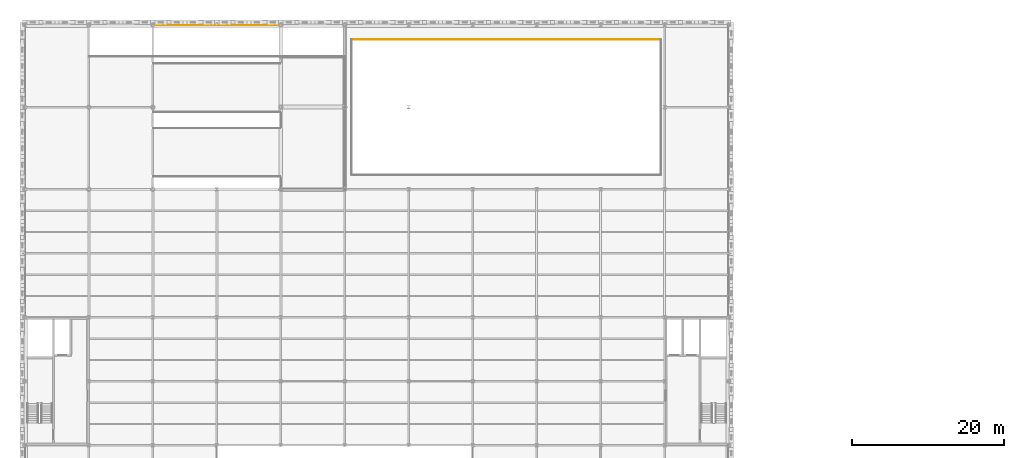
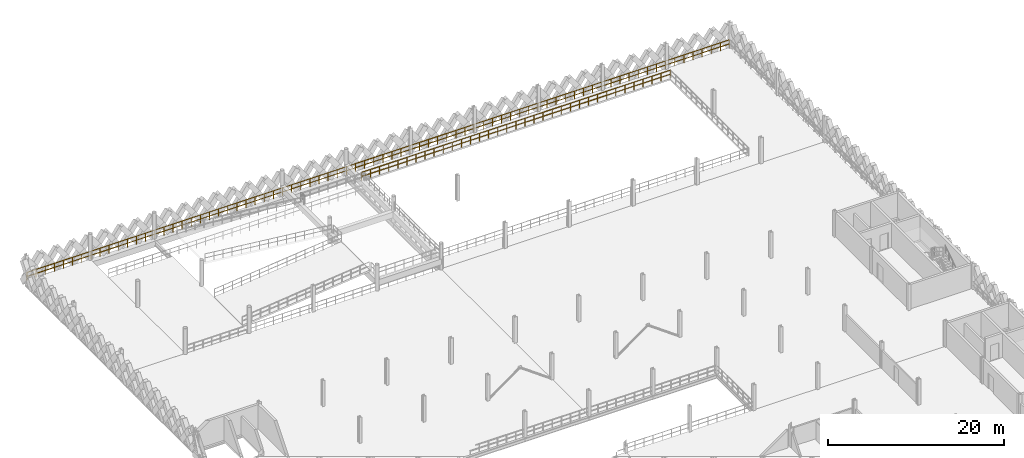
# One storey, part 76 of 79: 2 railings.
"""IFC4 building model written with IfcOpenShell, lengths in metres."""

import ifcopenshell
import ifcopenshell.guid

model = None  # the IFC model being written
_history = None  # IfcOwnerHistory: only IFC2X3 demands one
_inside = {}  # id of a spatial element -> (the spatial element, [elements in it])
_under = {}  # id of a project, library or spatial element -> (it, [spatial elements below it])
_declared = {}  # id of a project -> (the project, [libraries it declares])
_typed = {}  # id of a type object -> (the type object, [elements of that type])
_made_of = {}  # id of a material, layer set ... -> (it, [elements and type objects made of it])


def new_model(schema):
    """Start an empty IFC model of exactly this schema.

    Asked for "IFC4X3", IfcOpenShell would pick the latest addendum, in which some entities
    have other attributes; the version numbers below select the first issue.
    IFC2X3 requires an IfcOwnerHistory on every rooted entity: one is made here for all.
    """
    global model, _history
    if schema == "IFC4X3":
        model = ifcopenshell.file(schema_version=(4, 3, 0, 0))
    else:
        model = ifcopenshell.file(schema=schema)
    _inside.clear()
    _under.clear()
    _declared.clear()
    _typed.clear()
    _made_of.clear()
    _history = None
    if model.schema == "IFC2X3":
        org = make("IfcOrganization", Name="unknown")
        user = make(
            "IfcPersonAndOrganization",
            ThePerson=make("IfcPerson", FamilyName="unknown"),
            TheOrganization=org,
        )
        app = make(
            "IfcApplication",
            ApplicationDeveloper=org,
            Version="unknown",
            ApplicationFullName="unknown",
            ApplicationIdentifier="unknown",
        )
        _history = make(
            "IfcOwnerHistory",
            OwningUser=user,
            OwningApplication=app,
            ChangeAction="ADDED",
            CreationDate=0,
        )
    return model


def make(cls, **values):
    """One entity of the class cls with the attributes given. An attribute that is None is left unset."""
    return model.create_entity(
        cls, **{name: value for name, value in values.items() if value is not None}
    )


def rooted(cls, **values):
    """An entity with a GlobalId (a new one), such as an element, a storey or a relation."""
    return make(cls, GlobalId=ifcopenshell.guid.new(), OwnerHistory=_history, **values)


def si_unit(unit_type, name, prefix=None):
    """IfcSIUnit, for example si_unit("LENGTHUNIT", "METRE", prefix="MILLI")."""
    return make("IfcSIUnit", UnitType=unit_type, Prefix=prefix, Name=name)


def assignment(units):
    """IfcUnitAssignment: the units of a project."""
    return None if units is None else make("IfcUnitAssignment", Units=units)


def point(xyz):
    """IfcCartesianPoint."""
    return None if xyz is None else make("IfcCartesianPoint", Coordinates=xyz)


def direction(xyz):
    """IfcDirection."""
    return None if xyz is None else make("IfcDirection", DirectionRatios=xyz)


def frame(location, z_axis=None, x_axis=None):
    """IfcAxis2Placement3D, a coordinate frame: its origin and axes. An axis left out is left unset."""
    return make(
        "IfcAxis2Placement3D",
        Location=point(location),
        Axis=direction(z_axis),
        RefDirection=direction(x_axis),
    )


def frame_2d(location, x_axis=None):
    """IfcAxis2Placement2D, a coordinate frame in the plane: its origin and x axis."""
    return make(
        "IfcAxis2Placement2D", Location=point(location), RefDirection=direction(x_axis)
    )


def origin():
    """The frame at (0, 0, 0) with its axes left unset."""
    return frame((0.0, 0.0, 0.0))


def origin_2d():
    """The frame at (0, 0) in the plane with its x axis left unset."""
    return frame_2d((0.0, 0.0))


def place(relative_to, where):
    """IfcLocalPlacement: puts the frame where relative to a parent placement (None: the world)."""
    return make(
        "IfcLocalPlacement", PlacementRelTo=relative_to, RelativePlacement=where
    )


def context(
    kind, dimensions, precision=None, world=None, true_north=None, identifier=None
):
    """IfcGeometricRepresentationContext, for example the 3D "Model" context."""
    return make(
        "IfcGeometricRepresentationContext",
        ContextIdentifier=identifier,
        ContextType=kind,
        CoordinateSpaceDimension=dimensions,
        Precision=precision,
        WorldCoordinateSystem=world,
        TrueNorth=true_north,
    )


def subcontext(parent, identifier, kind, view, scale=None):
    """IfcGeometricRepresentationSubContext, for example "Body" below "Model"."""
    return make(
        "IfcGeometricRepresentationSubContext",
        ContextIdentifier=identifier,
        ContextType=kind,
        ParentContext=parent,
        TargetScale=scale,
        TargetView=view,
    )


def project(units=None, contexts=None):
    """IfcProject with its units and contexts."""
    return rooted(
        "IfcProject",
        Name="project",
        RepresentationContexts=contexts,
        UnitsInContext=assignment(units),
    )


def spatial(cls, under=None, at=None, **own):
    """A site, building, storey or space (cls), placed at a placement, below another one or the project."""
    s = rooted(cls, ObjectPlacement=at, **own)
    if under is not None:
        _under.setdefault(under.id(), (under, []))[1].append(s)
    return s


def profile(cls, at=None, kind="AREA", **sizes):
    """A parametric profile (cls). Its sizes go by their IFC names, for example OverallWidth=200.0."""
    return make(cls, ProfileType=kind, Position=at, **sizes)


def circle(**sizes):
    """IfcCircleProfileDef."""
    return profile("IfcCircleProfileDef", **sizes)


def extrude(swept, where, along, depth):
    """IfcExtrudedAreaSolid: the profile swept, set in the frame where, extruded along a direction by depth."""
    return make(
        "IfcExtrudedAreaSolid",
        SweptArea=swept,
        Position=where,
        ExtrudedDirection=direction(along),
        Depth=depth,
    )


def shape(context_of_items, identifier, shape_type, items):
    """IfcShapeRepresentation: the items that make up one representation, for example the "Body"."""
    return make(
        "IfcShapeRepresentation",
        ContextOfItems=context_of_items,
        RepresentationIdentifier=identifier,
        RepresentationType=shape_type,
        Items=items,
    )


def material(Name=None, Category=None):
    """IfcMaterial."""
    return make("IfcMaterial", Name=Name, Category=Category)


def made_of(thing, what):
    """Note that an element or type object is made of a material, layer set ...; save() writes the relation."""
    if what is not None:
        _made_of.setdefault(what.id(), (what, []))[1].append(thing)
    return thing


def type_object(cls, material=None, **own):
    """A type object (cls), such as IfcWallType, which elements share."""
    return made_of(rooted(cls, **own), material)


def element(
    cls,
    number,
    at=None,
    inside=None,
    cuts=None,
    type_object=None,
    material=None,
    context=None,
    identifier="Body",
    shape_type=None,
    held_by="IfcProductDefinitionShape",
    body=None,
    shapes=None,
    **own,
):
    """One element of the class cls, such as IfcWall. Its Tag is "e" and its number.

    at: its placement. inside: the storey or other place that contains it. cuts: it is an
    opening in that element (IfcRelVoidsElement). A single representation is given by context,
    identifier, shape_type and body (its items); several are given by shapes. held_by: the class
    of the entity that holds the representations. save() writes the other relations.
    """
    e = rooted(cls, Tag="e%d" % number, ObjectPlacement=at, **own)
    if body is not None:
        shapes = [shape(context, identifier, shape_type, body)]
    if shapes is not None:
        e.Representation = make(held_by, Representations=shapes)
    if inside is not None:
        _inside.setdefault(inside.id(), (inside, []))[1].append(e)
    if cuts is not None:
        rooted(
            "IfcRelVoidsElement", RelatingBuildingElement=cuts, RelatedOpeningElement=e
        )
    if type_object is not None:
        _typed.setdefault(type_object.id(), (type_object, []))[1].append(e)
    return made_of(e, material)


def aggregate(whole, parts):
    """IfcRelAggregates: a whole, such as a stair, and the parts it consists of."""
    return rooted("IfcRelAggregates", RelatingObject=whole, RelatedObjects=parts)


def save(model, path):
    """Write the relations noted so far, then the file.

    IfcRelAggregates (storeys below a building ...), IfcRelContainedInSpatialStructure (elements
    in a storey), IfcRelDefinesByType, IfcRelAssociatesMaterial and IfcRelDeclares: one each for
    every whole, place, type object, material and project.
    """
    for whole, parts in _under.values():
        aggregate(whole, parts)
    for where, things in _inside.values():
        rooted(
            "IfcRelContainedInSpatialStructure",
            RelatedElements=things,
            RelatingStructure=where,
        )
    for kind, things in _typed.values():
        rooted("IfcRelDefinesByType", RelatedObjects=things, RelatingType=kind)
    for what, things in _made_of.values():
        rooted("IfcRelAssociatesMaterial", RelatedObjects=things, RelatingMaterial=what)
    for by, libraries in _declared.values():
        rooted("IfcRelDeclares", RelatingContext=by, RelatedDefinitions=libraries)
    model.write(path)


model = new_model("IFC4")

# Units and contexts
model_context = context("Model", 3, precision=1e-05, world=origin(), true_north=direction((0.0, 1.0)))
body_context = subcontext(model_context, "Body", "Model", "MODEL_VIEW")
ifc_project = project(units=[si_unit("LENGTHUNIT", "METRE"), si_unit("AREAUNIT", "SQUARE_METRE"), si_unit("VOLUMEUNIT", "CUBIC_METRE"), si_unit("PLANEANGLEUNIT", "RADIAN"), si_unit("MASSUNIT", "GRAM", prefix="KILO"), si_unit("THERMODYNAMICTEMPERATUREUNIT", "KELVIN"), si_unit("POWERUNIT", "WATT")], contexts=[model_context])

# Site, building, storey
site_placement = place(None, origin())
site = spatial("IfcSite", under=ifc_project, at=site_placement, CompositionType="ELEMENT")
building_placement = place(site_placement, origin())
building = spatial("IfcBuilding", under=site, at=building_placement, Name="Tembeka Court Mobility Hub", CompositionType="ELEMENT")
storey_placement = place(building_placement, frame((0.0, 0.0, 9.0)))
storey = spatial("IfcBuildingStorey", under=building, at=storey_placement, Name="L02", CompositionType="ELEMENT", Elevation=9.0)

# Railings
ifc_material = material(Name="Painted galvanised steel balustrade", Category="steel")
railing_type_1 = type_object("IfcRailingType", Name="RL-GR01", PredefinedType="GUARDRAIL", material=ifc_material)
railing_1_placement = place(storey_placement, frame((83.469970703125, 116.89990234375, 0.0)))
element("IfcRailing", 1, at=railing_1_placement, inside=storey, type_object=railing_type_1, Name="Perimeter guard GR01-0089", PredefinedType="GUARDRAIL", context=body_context, shape_type="SweptSolid", body=[
    extrude(circle(Radius=0.02392578125, at=origin_2d()), frame((0.0, 0.0, 1.09619140625), z_axis=(-1.0, 0.0, 0.0), x_axis=(0.0, -1.0, 0.0)), (0.0, 0.0, 1.0), 40.5400390625),
    extrude(circle(Radius=0.02392578125, at=origin_2d()), frame((0.0, 0.0, 0.5361328125), z_axis=(-1.0, 0.0, 0.0), x_axis=(0.0, -1.0, 0.0)), (0.0, 0.0, 1.0), 40.5400390625),
    extrude(circle(Radius=0.02099609375, at=origin_2d()), origin(), (0.0, 0.0, 1.0), 1.072021484375),
    extrude(circle(Radius=0.02099609375, at=origin_2d()), frame((-1.1923828125, 0.0, 0.0)), (0.0, 0.0, 1.0), 1.072021484375),
    extrude(circle(Radius=0.02099609375, at=origin_2d()), frame((-2.384765625, 0.0, 0.0)), (0.0, 0.0, 1.0), 1.072021484375),
    extrude(circle(Radius=0.02099609375, at=origin_2d()), frame((-3.5771484375, 0.0, 0.0)), (0.0, 0.0, 1.0), 1.072021484375),
    extrude(circle(Radius=0.02099609375, at=origin_2d()), frame((-4.76953125, 0.0, 0.0)), (0.0, 0.0, 1.0), 1.072021484375),
    extrude(circle(Radius=0.02099609375, at=origin_2d()), frame((-5.961669921875, 0.0, 0.0)), (0.0, 0.0, 1.0), 1.072021484375),
    extrude(circle(Radius=0.02099609375, at=origin_2d()), frame((-7.154052734375, 0.0, 0.0)), (0.0, 0.0, 1.0), 1.072021484375),
    extrude(circle(Radius=0.02099609375, at=origin_2d()), frame((-8.346435546875, 0.0, 0.0)), (0.0, 0.0, 1.0), 1.072021484375),
    extrude(circle(Radius=0.02099609375, at=origin_2d()), frame((-9.538818359375, 0.0, 0.0)), (0.0, 0.0, 1.0), 1.072021484375),
    extrude(circle(Radius=0.02099609375, at=origin_2d()), frame((-10.731201171875, 0.0, 0.0)), (0.0, 0.0, 1.0), 1.072021484375),
    extrude(circle(Radius=0.02099609375, at=origin_2d()), frame((-11.923583984375, 0.0, 0.0)), (0.0, 0.0, 1.0), 1.072021484375),
    extrude(circle(Radius=0.02099609375, at=origin_2d()), frame((-13.115966796875, 0.0, 0.0)), (0.0, 0.0, 1.0), 1.072021484375),
    extrude(circle(Radius=0.02099609375, at=origin_2d()), frame((-14.308349609375, 0.0, 0.0)), (0.0, 0.0, 1.0), 1.072021484375),
    extrude(circle(Radius=0.02099609375, at=origin_2d()), frame((-15.50048828125, 0.0, 0.0)), (0.0, 0.0, 1.0), 1.072021484375),
    extrude(circle(Radius=0.02099609375, at=origin_2d()), frame((-16.69287109375, 0.0, 0.0)), (0.0, 0.0, 1.0), 1.072021484375),
    extrude(circle(Radius=0.02099609375, at=origin_2d()), frame((-17.88525390625, 0.0, 0.0)), (0.0, 0.0, 1.0), 1.072021484375),
    extrude(circle(Radius=0.02099609375, at=origin_2d()), frame((-19.07763671875, 0.0, 0.0)), (0.0, 0.0, 1.0), 1.072021484375),
    extrude(circle(Radius=0.02099609375, at=origin_2d()), frame((-20.27001953125, 0.0, 0.0)), (0.0, 0.0, 1.0), 1.072021484375),
    extrude(circle(Radius=0.02099609375, at=origin_2d()), frame((-21.46240234375, 0.0, 0.0)), (0.0, 0.0, 1.0), 1.072021484375),
    extrude(circle(Radius=0.02099609375, at=origin_2d()), frame((-22.65478515625, 0.0, 0.0)), (0.0, 0.0, 1.0), 1.072021484375),
    extrude(circle(Radius=0.02099609375, at=origin_2d()), frame((-23.84716796875, 0.0, 0.0)), (0.0, 0.0, 1.0), 1.072021484375),
    extrude(circle(Radius=0.02099609375, at=origin_2d()), frame((-25.03955078125, 0.0, 0.0)), (0.0, 0.0, 1.0), 1.072021484375),
    extrude(circle(Radius=0.02099609375, at=origin_2d()), frame((-26.231689453125, 0.0, 0.0)), (0.0, 0.0, 1.0), 1.072021484375),
    extrude(circle(Radius=0.02099609375, at=origin_2d()), frame((-27.424072265625, 0.0, 0.0)), (0.0, 0.0, 1.0), 1.072021484375),
    extrude(circle(Radius=0.02099609375, at=origin_2d()), frame((-28.616455078125, 0.0, 0.0)), (0.0, 0.0, 1.0), 1.072021484375),
    extrude(circle(Radius=0.02099609375, at=origin_2d()), frame((-29.808837890625, 0.0, 0.0)), (0.0, 0.0, 1.0), 1.072021484375),
    extrude(circle(Radius=0.02099609375, at=origin_2d()), frame((-31.001220703125, 0.0, 0.0)), (0.0, 0.0, 1.0), 1.072021484375),
    extrude(circle(Radius=0.02099609375, at=origin_2d()), frame((-32.193603515625, 0.0, 0.0)), (0.0, 0.0, 1.0), 1.072021484375),
    extrude(circle(Radius=0.02099609375, at=origin_2d()), frame((-33.385986328125, 0.0, 0.0)), (0.0, 0.0, 1.0), 1.072021484375),
    extrude(circle(Radius=0.02099609375, at=origin_2d()), frame((-34.578369140625, 0.0, 0.0)), (0.0, 0.0, 1.0), 1.072021484375),
    extrude(circle(Radius=0.02099609375, at=origin_2d()), frame((-35.7705078125, 0.0, 0.0)), (0.0, 0.0, 1.0), 1.072021484375),
    extrude(circle(Radius=0.02099609375, at=origin_2d()), frame((-36.962890625, 0.0, 0.0)), (0.0, 0.0, 1.0), 1.072021484375),
    extrude(circle(Radius=0.02099609375, at=origin_2d()), frame((-38.1552734375, 0.0, 0.0)), (0.0, 0.0, 1.0), 1.072021484375),
    extrude(circle(Radius=0.02099609375, at=origin_2d()), frame((-39.34765625, 0.0, 0.0)), (0.0, 0.0, 1.0), 1.072021484375),
    extrude(circle(Radius=0.02099609375, at=origin_2d()), frame((-40.5400390625, 0.0, 0.0)), (0.0, 0.0, 1.0), 1.072021484375),
])
railing_type_2 = type_object("IfcRailingType", Name="RL-GR02", PredefinedType="GUARDRAIL", material=ifc_material)
railing_2_placement = place(storey_placement, frame((0.080078125, 118.75, 0.0)))
element("IfcRailing", 2, at=railing_2_placement, inside=storey, type_object=railing_type_2, Name="Perimeter guard GR02-0092", PredefinedType="GUARDRAIL", context=body_context, shape_type="SweptSolid", body=[
    extrude(circle(Radius=0.02392578125, at=origin_2d()), frame((0.0, 0.0, 1.09619140625), z_axis=(1.0, 0.0, 0.0), x_axis=(0.0, 1.0, 0.0)), (0.0, 0.0, 1.0), 92.239990234375),
    extrude(circle(Radius=0.02392578125, at=origin_2d()), frame((0.0, 0.0, 0.5361328125), z_axis=(1.0, 0.0, 0.0), x_axis=(0.0, 1.0, 0.0)), (0.0, 0.0, 1.0), 92.239990234375),
    extrude(circle(Radius=0.02099609375, at=origin_2d()), origin(), (0.0, 0.0, 1.0), 1.072021484375),
    extrude(circle(Radius=0.02099609375, at=origin_2d()), frame((1.197998046875, 0.0, 0.0)), (0.0, 0.0, 1.0), 1.072021484375),
    extrude(circle(Radius=0.02099609375, at=origin_2d()), frame((2.395751953125, 0.0, 0.0)), (0.0, 0.0, 1.0), 1.072021484375),
    extrude(circle(Radius=0.02099609375, at=origin_2d()), frame((3.59375, 0.0, 0.0)), (0.0, 0.0, 1.0), 1.072021484375),
    extrude(circle(Radius=0.02099609375, at=origin_2d()), frame((4.791748046875, 0.0, 0.0)), (0.0, 0.0, 1.0), 1.072021484375),
    extrude(circle(Radius=0.02099609375, at=origin_2d()), frame((5.989501953125, 0.0, 0.0)), (0.0, 0.0, 1.0), 1.072021484375),
    extrude(circle(Radius=0.02099609375, at=origin_2d()), frame((7.1875, 0.0, 0.0)), (0.0, 0.0, 1.0), 1.072021484375),
    extrude(circle(Radius=0.02099609375, at=origin_2d()), frame((8.385498046875, 0.0, 0.0)), (0.0, 0.0, 1.0), 1.072021484375),
    extrude(circle(Radius=0.02099609375, at=origin_2d()), frame((9.58349609375, 0.0, 0.0)), (0.0, 0.0, 1.0), 1.072021484375),
    extrude(circle(Radius=0.02099609375, at=origin_2d()), frame((10.78125, 0.0, 0.0)), (0.0, 0.0, 1.0), 1.072021484375),
    extrude(circle(Radius=0.02099609375, at=origin_2d()), frame((11.979248046875, 0.0, 0.0)), (0.0, 0.0, 1.0), 1.072021484375),
    extrude(circle(Radius=0.02099609375, at=origin_2d()), frame((13.17724609375, 0.0, 0.0)), (0.0, 0.0, 1.0), 1.072021484375),
    extrude(circle(Radius=0.02099609375, at=origin_2d()), frame((14.375, 0.0, 0.0)), (0.0, 0.0, 1.0), 1.072021484375),
    extrude(circle(Radius=0.02099609375, at=origin_2d()), frame((15.572998046875, 0.0, 0.0)), (0.0, 0.0, 1.0), 1.072021484375),
    extrude(circle(Radius=0.02099609375, at=origin_2d()), frame((16.77099609375, 0.0, 0.0)), (0.0, 0.0, 1.0), 1.072021484375),
    extrude(circle(Radius=0.02099609375, at=origin_2d()), frame((17.96875, 0.0, 0.0)), (0.0, 0.0, 1.0), 1.072021484375),
    extrude(circle(Radius=0.02099609375, at=origin_2d()), frame((19.166748046875, 0.0, 0.0)), (0.0, 0.0, 1.0), 1.072021484375),
    extrude(circle(Radius=0.02099609375, at=origin_2d()), frame((20.36474609375, 0.0, 0.0)), (0.0, 0.0, 1.0), 1.072021484375),
    extrude(circle(Radius=0.02099609375, at=origin_2d()), frame((21.5625, 0.0, 0.0)), (0.0, 0.0, 1.0), 1.072021484375),
    extrude(circle(Radius=0.02099609375, at=origin_2d()), frame((22.760498046875, 0.0, 0.0)), (0.0, 0.0, 1.0), 1.072021484375),
    extrude(circle(Radius=0.02099609375, at=origin_2d()), frame((23.95849609375, 0.0, 0.0)), (0.0, 0.0, 1.0), 1.072021484375),
    extrude(circle(Radius=0.02099609375, at=origin_2d()), frame((25.15625, 0.0, 0.0)), (0.0, 0.0, 1.0), 1.072021484375),
    extrude(circle(Radius=0.02099609375, at=origin_2d()), frame((26.354248046875, 0.0, 0.0)), (0.0, 0.0, 1.0), 1.072021484375),
    extrude(circle(Radius=0.02099609375, at=origin_2d()), frame((27.55224609375, 0.0, 0.0)), (0.0, 0.0, 1.0), 1.072021484375),
    extrude(circle(Radius=0.02099609375, at=origin_2d()), frame((28.750244140625, 0.0, 0.0)), (0.0, 0.0, 1.0), 1.072021484375),
    extrude(circle(Radius=0.02099609375, at=origin_2d()), frame((29.947998046875, 0.0, 0.0)), (0.0, 0.0, 1.0), 1.072021484375),
    extrude(circle(Radius=0.02099609375, at=origin_2d()), frame((31.14599609375, 0.0, 0.0)), (0.0, 0.0, 1.0), 1.072021484375),
    extrude(circle(Radius=0.02099609375, at=origin_2d()), frame((32.343994140625, 0.0, 0.0)), (0.0, 0.0, 1.0), 1.072021484375),
    extrude(circle(Radius=0.02099609375, at=origin_2d()), frame((33.541748046875, 0.0, 0.0)), (0.0, 0.0, 1.0), 1.072021484375),
    extrude(circle(Radius=0.02099609375, at=origin_2d()), frame((34.73974609375, 0.0, 0.0)), (0.0, 0.0, 1.0), 1.072021484375),
    extrude(circle(Radius=0.02099609375, at=origin_2d()), frame((35.937744140625, 0.0, 0.0)), (0.0, 0.0, 1.0), 1.072021484375),
    extrude(circle(Radius=0.02099609375, at=origin_2d()), frame((37.135498046875, 0.0, 0.0)), (0.0, 0.0, 1.0), 1.072021484375),
    extrude(circle(Radius=0.02099609375, at=origin_2d()), frame((38.33349609375, 0.0, 0.0)), (0.0, 0.0, 1.0), 1.072021484375),
    extrude(circle(Radius=0.02099609375, at=origin_2d()), frame((39.531494140625, 0.0, 0.0)), (0.0, 0.0, 1.0), 1.072021484375),
    extrude(circle(Radius=0.02099609375, at=origin_2d()), frame((40.729248046875, 0.0, 0.0)), (0.0, 0.0, 1.0), 1.072021484375),
    extrude(circle(Radius=0.02099609375, at=origin_2d()), frame((41.92724609375, 0.0, 0.0)), (0.0, 0.0, 1.0), 1.072021484375),
    extrude(circle(Radius=0.02099609375, at=origin_2d()), frame((43.125244140625, 0.0, 0.0)), (0.0, 0.0, 1.0), 1.072021484375),
    extrude(circle(Radius=0.02099609375, at=origin_2d()), frame((44.322998046875, 0.0, 0.0)), (0.0, 0.0, 1.0), 1.072021484375),
    extrude(circle(Radius=0.02099609375, at=origin_2d()), frame((45.52099609375, 0.0, 0.0)), (0.0, 0.0, 1.0), 1.072021484375),
    extrude(circle(Radius=0.02099609375, at=origin_2d()), frame((46.718994140625, 0.0, 0.0)), (0.0, 0.0, 1.0), 1.072021484375),
    extrude(circle(Radius=0.02099609375, at=origin_2d()), frame((47.9169921875, 0.0, 0.0)), (0.0, 0.0, 1.0), 1.072021484375),
    extrude(circle(Radius=0.02099609375, at=origin_2d()), frame((49.11474609375, 0.0, 0.0)), (0.0, 0.0, 1.0), 1.072021484375),
    extrude(circle(Radius=0.02099609375, at=origin_2d()), frame((50.312744140625, 0.0, 0.0)), (0.0, 0.0, 1.0), 1.072021484375),
    extrude(circle(Radius=0.02099609375, at=origin_2d()), frame((51.5107421875, 0.0, 0.0)), (0.0, 0.0, 1.0), 1.072021484375),
    extrude(circle(Radius=0.02099609375, at=origin_2d()), frame((52.70849609375, 0.0, 0.0)), (0.0, 0.0, 1.0), 1.072021484375),
    extrude(circle(Radius=0.02099609375, at=origin_2d()), frame((53.906494140625, 0.0, 0.0)), (0.0, 0.0, 1.0), 1.072021484375),
    extrude(circle(Radius=0.02099609375, at=origin_2d()), frame((55.1044921875, 0.0, 0.0)), (0.0, 0.0, 1.0), 1.072021484375),
    extrude(circle(Radius=0.02099609375, at=origin_2d()), frame((56.30224609375, 0.0, 0.0)), (0.0, 0.0, 1.0), 1.072021484375),
    extrude(circle(Radius=0.02099609375, at=origin_2d()), frame((57.500244140625, 0.0, 0.0)), (0.0, 0.0, 1.0), 1.072021484375),
    extrude(circle(Radius=0.02099609375, at=origin_2d()), frame((58.6982421875, 0.0, 0.0)), (0.0, 0.0, 1.0), 1.072021484375),
    extrude(circle(Radius=0.02099609375, at=origin_2d()), frame((59.89599609375, 0.0, 0.0)), (0.0, 0.0, 1.0), 1.072021484375),
    extrude(circle(Radius=0.02099609375, at=origin_2d()), frame((61.093994140625, 0.0, 0.0)), (0.0, 0.0, 1.0), 1.072021484375),
    extrude(circle(Radius=0.02099609375, at=origin_2d()), frame((62.2919921875, 0.0, 0.0)), (0.0, 0.0, 1.0), 1.072021484375),
    extrude(circle(Radius=0.02099609375, at=origin_2d()), frame((63.48974609375, 0.0, 0.0)), (0.0, 0.0, 1.0), 1.072021484375),
    extrude(circle(Radius=0.02099609375, at=origin_2d()), frame((64.687744140625, 0.0, 0.0)), (0.0, 0.0, 1.0), 1.072021484375),
    extrude(circle(Radius=0.02099609375, at=origin_2d()), frame((65.8857421875, 0.0, 0.0)), (0.0, 0.0, 1.0), 1.072021484375),
    extrude(circle(Radius=0.02099609375, at=origin_2d()), frame((67.083740234375, 0.0, 0.0)), (0.0, 0.0, 1.0), 1.072021484375),
    extrude(circle(Radius=0.02099609375, at=origin_2d()), frame((68.281494140625, 0.0, 0.0)), (0.0, 0.0, 1.0), 1.072021484375),
    extrude(circle(Radius=0.02099609375, at=origin_2d()), frame((69.4794921875, 0.0, 0.0)), (0.0, 0.0, 1.0), 1.072021484375),
    extrude(circle(Radius=0.02099609375, at=origin_2d()), frame((70.677490234375, 0.0, 0.0)), (0.0, 0.0, 1.0), 1.072021484375),
    extrude(circle(Radius=0.02099609375, at=origin_2d()), frame((71.875244140625, 0.0, 0.0)), (0.0, 0.0, 1.0), 1.072021484375),
    extrude(circle(Radius=0.02099609375, at=origin_2d()), frame((73.0732421875, 0.0, 0.0)), (0.0, 0.0, 1.0), 1.072021484375),
    extrude(circle(Radius=0.02099609375, at=origin_2d()), frame((74.271240234375, 0.0, 0.0)), (0.0, 0.0, 1.0), 1.072021484375),
    extrude(circle(Radius=0.02099609375, at=origin_2d()), frame((75.468994140625, 0.0, 0.0)), (0.0, 0.0, 1.0), 1.072021484375),
    extrude(circle(Radius=0.02099609375, at=origin_2d()), frame((76.6669921875, 0.0, 0.0)), (0.0, 0.0, 1.0), 1.072021484375),
    extrude(circle(Radius=0.02099609375, at=origin_2d()), frame((77.864990234375, 0.0, 0.0)), (0.0, 0.0, 1.0), 1.072021484375),
    extrude(circle(Radius=0.02099609375, at=origin_2d()), frame((79.062744140625, 0.0, 0.0)), (0.0, 0.0, 1.0), 1.072021484375),
    extrude(circle(Radius=0.02099609375, at=origin_2d()), frame((80.2607421875, 0.0, 0.0)), (0.0, 0.0, 1.0), 1.072021484375),
    extrude(circle(Radius=0.02099609375, at=origin_2d()), frame((81.458740234375, 0.0, 0.0)), (0.0, 0.0, 1.0), 1.072021484375),
    extrude(circle(Radius=0.02099609375, at=origin_2d()), frame((82.656494140625, 0.0, 0.0)), (0.0, 0.0, 1.0), 1.072021484375),
    extrude(circle(Radius=0.02099609375, at=origin_2d()), frame((83.8544921875, 0.0, 0.0)), (0.0, 0.0, 1.0), 1.072021484375),
    extrude(circle(Radius=0.02099609375, at=origin_2d()), frame((85.052490234375, 0.0, 0.0)), (0.0, 0.0, 1.0), 1.072021484375),
    extrude(circle(Radius=0.02099609375, at=origin_2d()), frame((86.25048828125, 0.0, 0.0)), (0.0, 0.0, 1.0), 1.072021484375),
    extrude(circle(Radius=0.02099609375, at=origin_2d()), frame((87.4482421875, 0.0, 0.0)), (0.0, 0.0, 1.0), 1.072021484375),
    extrude(circle(Radius=0.02099609375, at=origin_2d()), frame((88.646240234375, 0.0, 0.0)), (0.0, 0.0, 1.0), 1.072021484375),
    extrude(circle(Radius=0.02099609375, at=origin_2d()), frame((89.84423828125, 0.0, 0.0)), (0.0, 0.0, 1.0), 1.072021484375),
    extrude(circle(Radius=0.02099609375, at=origin_2d()), frame((91.0419921875, 0.0, 0.0)), (0.0, 0.0, 1.0), 1.072021484375),
    extrude(circle(Radius=0.02099609375, at=origin_2d()), frame((92.239990234375, 0.0, 0.0)), (0.0, 0.0, 1.0), 1.072021484375),
])

save(model, "model.ifc")
